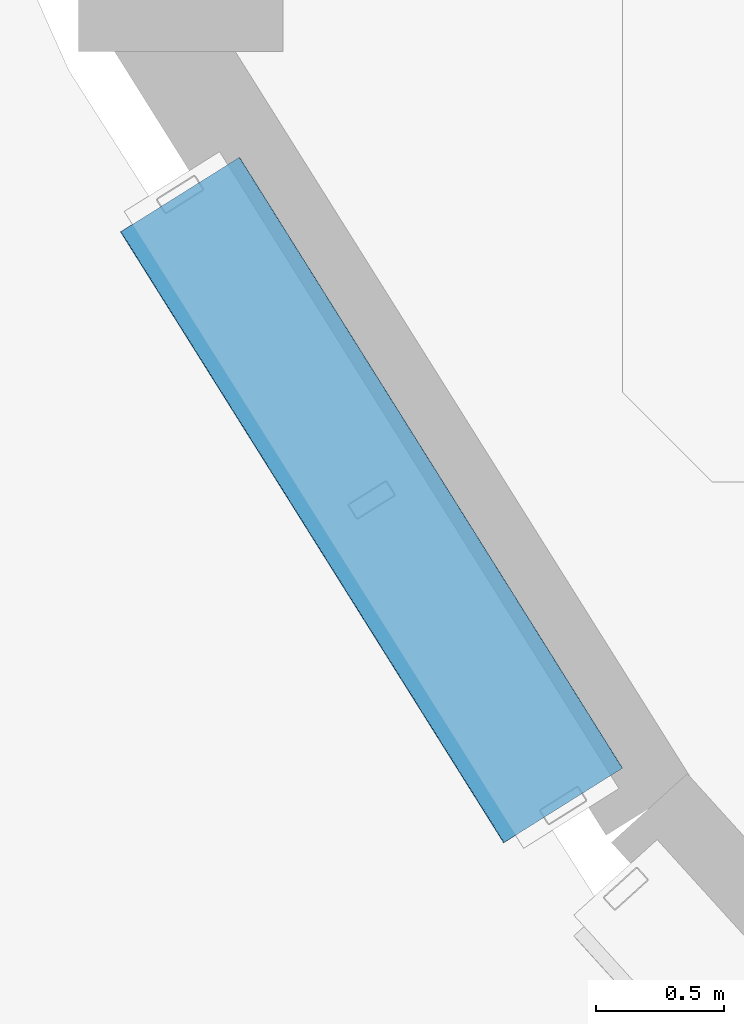
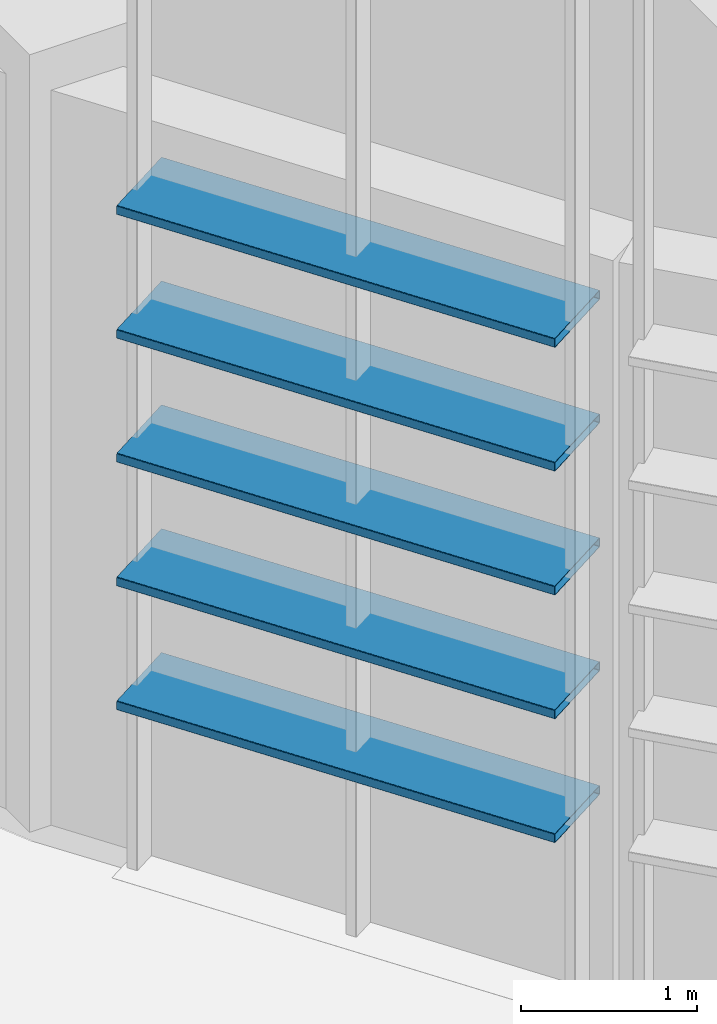
# One storey, part 23 of 372: 5 members.
"""IFC4 building model written with IfcOpenShell, lengths in metres."""

from ifc_helpers import new_model, si_unit, direction, frame, origin, origin_2d, place, context, subcontext, project, spatial, hollow_rectangle, extrude, material, material_profile, profile_set, type_object, element, save


model = new_model("IFC4")

# Units and contexts
model_context = context("Model", 3, precision=1e-05, world=origin(), true_north=direction((0.0, 1.0)))
body_context = subcontext(model_context, "Body", "Model", "MODEL_VIEW")
ifc_project = project(units=[si_unit("LENGTHUNIT", "METRE"), si_unit("AREAUNIT", "SQUARE_METRE"), si_unit("VOLUMEUNIT", "CUBIC_METRE"), si_unit("PLANEANGLEUNIT", "RADIAN"), si_unit("MASSUNIT", "GRAM", prefix="KILO")], contexts=[model_context])

# Site, building, storey
site_placement = place(None, origin())
site = spatial("IfcSite", under=ifc_project, at=site_placement, CompositionType="ELEMENT")
building_placement = place(site_placement, origin())
building = spatial("IfcBuilding", under=site, at=building_placement, Name="Kaelora Sail Theatre", CompositionType="ELEMENT")
storey_placement = place(building_placement, origin())
storey = spatial("IfcBuildingStorey", under=building, at=storey_placement, Name="L00", CompositionType="ELEMENT", Elevation=0.0)

# Members
ifc_material = material(Name="Anodised aluminium 6063-T6", Category="aluminium")
ifc_material_profile = material_profile(ifc_material, hollow_rectangle(XDim=0.550048828125, YDim=0.06494140625, WallThickness=0.00390625, InnerFilletRadius=0.00390625, OuterFilletRadius=0.008056640625, at=origin_2d()), Name="LOUVRE 550x65x4")
ifc_profile_set = profile_set([ifc_material_profile], Name="Anodised aluminium 6063-T6")
member_type = type_object("IfcMemberType", Name="ARC-MEM-LVR-300", PredefinedType="USERDEFINED", material=ifc_profile_set)
for number, where, z_axis, x_axis, name in (
    (1, (31.267333984375, 29.735595703125, 1.25), (-0.531266918629, 0.847204497846, 0.0), (-0.847204497846, -0.531266918629, 0.0), "Main Theatre Sail Drum horizontal solar louvre C16-01"),
    (2, (31.267333984375, 29.735595703125, 2.110107421875), (-0.531266918629, 0.847204497846, 0.0), (-0.847204497846, -0.531266918629, 0.0), "Main Theatre Sail Drum horizontal solar louvre C16-02"),
    (3, (31.267333984375, 29.735595703125, 2.969970703125), (-0.531266918629, 0.847204497846, 0.0), (-0.847204497846, -0.531266918629, 0.0), "Main Theatre Sail Drum horizontal solar louvre C16-03"),
    (4, (31.267333984375, 29.735595703125, 3.830078125), (-0.531266918629, 0.847204497846, 0.0), (-0.847204497846, -0.531266918629, 0.0), "Main Theatre Sail Drum horizontal solar louvre C16-04"),
    (5, (31.267333984375, 29.735595703125, 4.68994140625), (-0.531266918629, 0.847204497846, 0.0), (-0.847204497846, -0.531266918629, 0.0), "Main Theatre Sail Drum horizontal solar louvre C16-05"),
):
    element("IfcMember", number, at=place(storey_placement, frame(where, z_axis=z_axis, x_axis=x_axis)), inside=storey, type_object=member_type, Name=name, ObjectType="LOUVRE", PredefinedType="USERDEFINED", context=body_context, shape_type="SweptSolid", body=[
        extrude(hollow_rectangle(XDim=0.550048828125, YDim=0.06494140625, WallThickness=0.00390625, InnerFilletRadius=0.00390625, OuterFilletRadius=0.008056640625, at=origin_2d()), origin(), (0.0, 0.0, 1.0), 2.81982421875),
    ])

save(model, "model.ifc")
